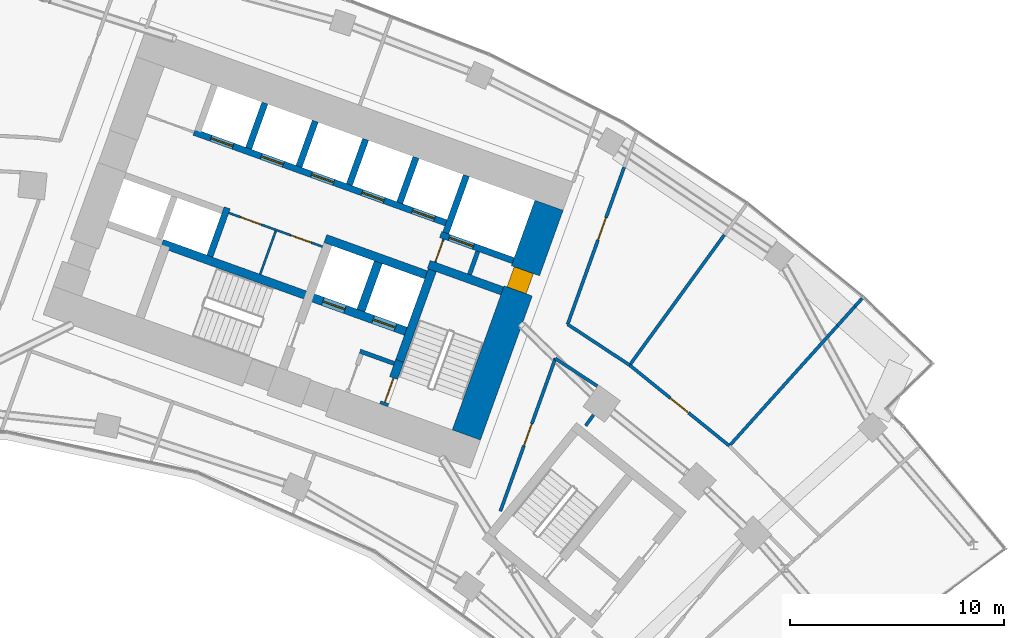
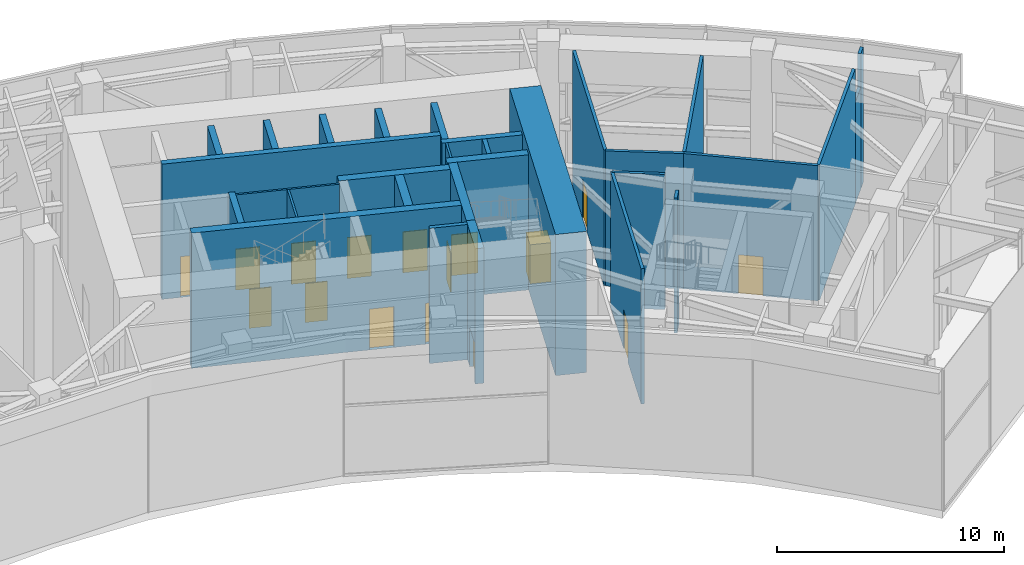
# One storey, part 27 of 32: 30 walls, 16 doors, 16 openings.
"""IFC4 building model written with IfcOpenShell, lengths in metres."""

from ifc_helpers import new_model, si_unit, direction, frame, frame_2d, origin, place, context, subcontext, project, spatial, rectangle, extrude, material, layer, layer_set, type_object, element, fill, save


model = new_model("IFC4")

# Units and contexts
model_context = context("Model", 3, precision=1e-05, world=origin(), true_north=direction((0.0, 1.0)))
body_context = subcontext(model_context, "Body", "Model", "MODEL_VIEW")
ifc_project = project(units=[si_unit("LENGTHUNIT", "METRE"), si_unit("AREAUNIT", "SQUARE_METRE"), si_unit("VOLUMEUNIT", "CUBIC_METRE"), si_unit("PLANEANGLEUNIT", "RADIAN"), si_unit("MASSUNIT", "GRAM", prefix="KILO")], contexts=[model_context])

# Site, building, storey
site_placement = place(None, origin())
site = spatial("IfcSite", under=ifc_project, at=site_placement, CompositionType="ELEMENT")
building_placement = place(site_placement, origin())
building = spatial("IfcBuilding", under=site, at=building_placement, Name="Stone Belt Terrace Tower", CompositionType="ELEMENT")
storey_placement = place(building_placement, frame((0.0, 0.0, 193.39990234375)))
storey = spatial("IfcBuildingStorey", under=building, at=storey_placement, Name="L47", CompositionType="ELEMENT", Elevation=193.39990234375)

# Wall, opening, door
ifc_material_1 = material(Name="Plasterboard partition")
ifc_layer_1 = layer(ifc_material_1, 0.10009765625)
ifc_layer_set_1 = layer_set([ifc_layer_1], Name="Core partition 100")
wall_type_1 = type_object("IfcWallType", Name="Core partition 100", PredefinedType="PARTITIONING", material=ifc_layer_set_1)
wall_1_placement = place(storey_placement, frame((24.555908203125, 51.10400390625, 0.0), z_axis=(0.0, 0.0, 1.0), x_axis=(0.338621735342, 0.94092258999, 0.0)))
wall_1 = element("IfcWall", 1, at=wall_1_placement, inside=storey, type_object=wall_type_1, Name="Core B wall", PredefinedType="PARTITIONING", context=body_context, shape_type="SweptSolid", body=[
    extrude(rectangle(XDim=1.14990234375, YDim=0.10009765625, at=frame_2d((0.574951171875, 0.0))), origin(), (0.0, 0.0, 1.0), 7.280029296875),
])
opening_1_placement = place(wall_1_placement, frame((0.050048828125, 0.0, 0.0)))
opening_1 = element("IfcOpeningElement", 2, at=opening_1_placement, cuts=wall_1, Name="Opening L47-C17", PredefinedType="OPENING", context=body_context, shape_type="SweptSolid", body=[
    extrude(rectangle(XDim=1.0, YDim=2.10009765625, at=frame_2d((0.5, 1.050048828125))), frame((0.0, 0.06005859375, 0.0), z_axis=(0.0, -1.0, 0.0), x_axis=(1.0, 0.0, 0.0)), (0.0, 0.0, 1.0), 0.1201171875),
])
ifc_material_2 = material(Name="Timber door leaf", Category="wood")
door_type_1 = type_object("IfcDoorType", Name="Core room door 1000", OperationType="SINGLE_SWING_LEFT", PredefinedType="DOOR", material=ifc_material_2)
door_1_placement = place(opening_1_placement, origin())
door_1 = element("IfcDoor", 3, at=door_1_placement, inside=storey, type_object=door_type_1, Name="Service lift lobby door core B", OperationType="SINGLE_SWING_LEFT", OverallHeight=2.10009765625, OverallWidth=1.0, PredefinedType="DOOR", context=body_context, shape_type="SweptSolid", body=[
    extrude(rectangle(XDim=1.0, YDim=2.10009765625, at=frame_2d((0.5, 1.050048828125))), frame((0.0, 0.02490234375, 0.0), z_axis=(0.0, -1.0, 0.0), x_axis=(1.0, 0.0, 0.0)), (0.0, 0.0, 1.0), 0.050048828125),
])
fill(opening_1, door_1)

# Wall, openings, doors
wall_2_placement = place(storey_placement, frame((19.29052734375, 51.829833984375, 0.0), z_axis=(0.0, 0.0, 1.0), x_axis=(-0.940930240745, 0.338600475563, 0.0)))
wall_2 = element("IfcWall", 4, at=wall_2_placement, inside=storey, type_object=wall_type_1, Name="Core B wall", PredefinedType="PARTITIONING", context=body_context, shape_type="SweptSolid", body=[
    extrude(rectangle(XDim=4.64990234375, YDim=0.10009765625, at=frame_2d((2.324951171875, 0.0))), origin(), (0.0, 0.0, 1.0), 7.280029296875),
])
opening_2_placement = place(wall_2_placement, frame((0.550048828125, 0.0, 0.0)))
opening_2 = element("IfcOpeningElement", 5, at=opening_2_placement, cuts=wall_2, Name="Opening L47-C14", PredefinedType="OPENING", context=body_context, shape_type="SweptSolid", body=[
    extrude(rectangle(XDim=1.0, YDim=2.10009765625, at=frame_2d((0.5, 1.050048828125))), frame((0.0, 0.06005859375, 0.0), z_axis=(0.0, -1.0, 0.0), x_axis=(1.0, 0.0, 0.0)), (0.0, 0.0, 1.0), 0.1201171875),
])
opening_3_placement = place(wall_2_placement, frame((3.050048828125, 0.0, 0.0)))
opening_3 = element("IfcOpeningElement", 6, at=opening_3_placement, cuts=wall_2, Name="Opening L47-C15", PredefinedType="OPENING", context=body_context, shape_type="SweptSolid", body=[
    extrude(rectangle(XDim=1.0, YDim=2.10009765625, at=frame_2d((0.5, 1.050048828125))), frame((0.0, 0.06005859375, 0.0), z_axis=(0.0, -1.0, 0.0), x_axis=(1.0, 0.0, 0.0)), (0.0, 0.0, 1.0), 0.1201171875),
])
door_2_placement = place(opening_2_placement, origin())
door_2 = element("IfcDoor", 7, at=door_2_placement, inside=storey, type_object=door_type_1, Name="Door to Telecommunications room core B", OperationType="SINGLE_SWING_LEFT", OverallHeight=2.10009765625, OverallWidth=1.0, PredefinedType="DOOR", context=body_context, shape_type="SweptSolid", body=[
    extrude(rectangle(XDim=1.0, YDim=2.10009765625, at=frame_2d((0.5, 1.050048828125))), frame((0.0, 0.02490234375, 0.0), z_axis=(0.0, -1.0, 0.0), x_axis=(1.0, 0.0, 0.0)), (0.0, 0.0, 1.0), 0.050048828125),
])
fill(opening_2, door_2)
door_3_placement = place(opening_3_placement, origin())
door_3 = element("IfcDoor", 8, at=door_3_placement, inside=storey, type_object=door_type_1, Name="Door to Archive store core B", OperationType="SINGLE_SWING_RIGHT", OverallHeight=2.10009765625, OverallWidth=1.0, PredefinedType="DOOR", context=body_context, shape_type="SweptSolid", body=[
    extrude(rectangle(XDim=1.0, YDim=2.10009765625, at=frame_2d((0.5, 1.050048828125))), frame((0.0, 0.02490234375, 0.0), z_axis=(0.0, -1.0, 0.0), x_axis=(1.0, 0.0, 0.0)), (0.0, 0.0, 1.0), 0.050048828125),
])
fill(opening_3, door_3)

# Wall
wall_3_placement = place(storey_placement, frame((16.38134765625, 50.53857421875, 0.0), z_axis=(0.0, 0.0, 1.0), x_axis=(0.338622960269, 0.940922149159, 0.0)))
element("IfcWall", 9, at=wall_3_placement, inside=storey, type_object=wall_type_1, Name="Core B wall", PredefinedType="PARTITIONING", context=body_context, shape_type="SweptSolid", body=[
    extrude(rectangle(XDim=2.14990234375, YDim=0.10009765625, at=frame_2d((1.074951171875, 0.0))), origin(), (0.0, 0.0, 1.0), 7.280029296875),
])

# Wall, opening, door
ifc_material_3 = material(Name="Concrete B80", Category="concrete")
ifc_layer_2 = layer(ifc_material_3, 1.39990234375)
ifc_layer_set_2 = layer_set([ifc_layer_2], Name="Core wall 1400 B80")
wall_type_2 = type_object("IfcWallType", Name="Core wall 1400 B80", PredefinedType="SHEAR", material=ifc_layer_set_2)
wall_4_placement = place(storey_placement, frame((26.00927734375, 43.03515625, 0.0), z_axis=(0.0, 0.0, 1.0), x_axis=(0.338625431531, 0.940921259788, 0.0)))
wall_4 = element("IfcWall", 10, at=wall_4_placement, inside=storey, type_object=wall_type_2, Name="Core B wall end_b L47", PredefinedType="SHEAR", context=body_context, shape_type="SweptSolid", body=[
    extrude(rectangle(XDim=11.400146484375, YDim=1.39990234375, at=frame_2d((5.7001953125, 0.0))), origin(), (0.0, 0.0, 1.0), 7.60009765625),
])
opening_4_placement = place(wall_4_placement, frame((7.14990234375, 0.0, 0.0)))
opening_4 = element("IfcOpeningElement", 11, at=opening_4_placement, cuts=wall_4, Name="Opening L47-C16", PredefinedType="OPENING", context=body_context, shape_type="SweptSolid", body=[
    extrude(rectangle(XDim=1.0, YDim=2.10009765625, at=frame_2d((0.5, 1.050048828125))), frame((0.0, 0.7099609375, 0.0), z_axis=(0.0, -1.0, 0.0), x_axis=(1.0, 0.0, 0.0)), (0.0, 0.0, 1.0), 1.419921875),
])
door_4_placement = place(opening_4_placement, origin())
door_4 = element("IfcDoor", 12, at=door_4_placement, inside=storey, type_object=door_type_1, Name="Door to Plant riser room core B", OperationType="SINGLE_SWING_RIGHT", OverallHeight=2.10009765625, OverallWidth=1.0, PredefinedType="DOOR", context=body_context, shape_type="SweptSolid", body=[
    extrude(rectangle(XDim=1.0, YDim=2.10009765625, at=frame_2d((0.5, 1.050048828125))), frame((0.0, 0.55517578125, 0.0), z_axis=(0.0, -1.0, 0.0), x_axis=(1.0, 0.0, 0.0)), (0.0, 0.0, 1.0), 0.949951171875),
])
fill(opening_4, door_4)

# Walls
ifc_layer_3 = layer(ifc_material_3, 0.39990234375)
ifc_layer_set_3 = layer_set([ifc_layer_3], Name="Fire-fighting lift shaft wall 400")
wall_type_3 = type_object("IfcWallType", Name="Fire-fighting lift shaft wall 400", PredefinedType="SHEAR", material=ifc_layer_set_3)
wall_5_placement = place(storey_placement, frame((24.130615234375, 50.512939453125, 0.0), z_axis=(0.0, 0.0, 1.0), x_axis=(-0.94091168377, 0.338652038744, 0.0)))
element("IfcWall", 13, at=wall_5_placement, inside=storey, type_object=wall_type_3, Name="Core B wall", PredefinedType="SHEAR", context=body_context, shape_type="SweptSolid", body=[
    extrude(rectangle(XDim=5.000244140625, YDim=0.39990234375, at=frame_2d((2.5, 0.0))), origin(), (0.0, 0.0, 1.0), 7.280029296875),
])
wall_6_placement = place(storey_placement, frame((21.0859375, 48.845458984375, 0.0), z_axis=(0.0, 0.0, 1.0), x_axis=(0.338629416206, 0.940919825745, 0.0)))
element("IfcWall", 14, at=wall_6_placement, inside=storey, type_object=wall_type_3, Name="Core B wall", PredefinedType="SHEAR", context=body_context, shape_type="SweptSolid", body=[
    extrude(rectangle(XDim=2.400146484375, YDim=0.39990234375, at=frame_2d((1.2001953125, 0.0))), origin(), (0.0, 0.0, 1.0), 7.280029296875),
])

# Wall, opening, door
ifc_layer_4 = layer(ifc_material_3, 0.300048828125)
ifc_layer_set_4 = layer_set([ifc_layer_4], Name="Lift shaft wall 300")
wall_type_4 = type_object("IfcWallType", Name="Lift shaft wall 300", PredefinedType="SHEAR", material=ifc_layer_set_4)
wall_7_placement = place(storey_placement, frame((28.195068359375, 51.17578125, 0.0), z_axis=(0.0, 0.0, 1.0), x_axis=(-0.940901243567, 0.338681044427, 0.0)))
wall_7 = element("IfcWall", 15, at=wall_7_placement, inside=storey, type_object=wall_type_4, Name="Core B wall", PredefinedType="SHEAR", context=body_context, shape_type="SweptSolid", body=[
    extrude(rectangle(XDim=3.599853515625, YDim=0.300048828125, at=frame_2d((1.7998046875, 0.0))), origin(), (0.0, 0.0, 1.0), 7.280029296875),
])
opening_5_placement = place(wall_7_placement, frame((1.969970703125, 0.0, 0.0)))
opening_5 = element("IfcOpeningElement", 16, at=opening_5_placement, cuts=wall_7, Name="Opening L47-LD16", PredefinedType="OPENING", context=body_context, shape_type="SweptSolid", body=[
    extrude(rectangle(XDim=1.199951171875, YDim=2.199951171875, at=frame_2d((0.60009765625, 1.10009765625))), frame((0.0, 0.159912109375, 0.0), z_axis=(0.0, -1.0, 0.0), x_axis=(1.0, 0.0, 0.0)), (0.0, 0.0, 1.0), 0.320068359375),
])
ifc_material_4 = material(Name="Stainless steel door leaf", Category="steel")
door_type_2 = type_object("IfcDoorType", Name="Landing door 1200", OperationType="SLIDING_TO_LEFT", PredefinedType="DOOR", material=ifc_material_4)
door_5_placement = place(opening_5_placement, origin())
door_5 = element("IfcDoor", 17, at=door_5_placement, inside=storey, type_object=door_type_2, Name="Landing door SV1 core B", OperationType="SLIDING_TO_LEFT", OverallHeight=2.199951171875, OverallWidth=1.199951171875, PredefinedType="DOOR", context=body_context, shape_type="SweptSolid", body=[
    extrude(rectangle(XDim=1.199951171875, YDim=2.199951171875, at=frame_2d((0.60009765625, 1.10009765625))), frame((0.0, 0.02490234375, 0.0), z_axis=(0.0, -1.0, 0.0), x_axis=(1.0, 0.0, 0.0)), (0.0, 0.0, 1.0), 0.050048828125),
])
fill(opening_5, door_5)

# Wall
wall_8_placement = place(storey_placement, frame((25.046875, 52.46826171875, 0.0), z_axis=(0.0, 0.0, 1.0), x_axis=(0.338549588058, 0.940948551423, 0.0)))
element("IfcWall", 18, at=wall_8_placement, inside=storey, type_object=wall_type_4, Name="Core B wall", PredefinedType="SHEAR", context=body_context, shape_type="SweptSolid", body=[
    extrude(rectangle(XDim=2.849853515625, YDim=0.300048828125, at=frame_2d((1.4248046875, 0.0))), origin(), (0.0, 0.0, 1.0), 7.280029296875),
])

# Wall, openings, doors
wall_9_placement = place(storey_placement, frame((25.05810546875, 52.9423828125, 0.0), z_axis=(0.0, 0.0, 1.0), x_axis=(-0.940920770291, 0.338626791666, 0.0)))
wall_9 = element("IfcWall", 19, at=wall_9_placement, inside=storey, type_object=wall_type_4, Name="Core B wall", PredefinedType="SHEAR", context=body_context, shape_type="SweptSolid", body=[
    extrude(rectangle(XDim=12.500244140625, YDim=0.300048828125, at=frame_2d((6.25, 0.0))), origin(), (0.0, 0.0, 1.0), 7.280029296875),
])
opening_6_placement = place(wall_9_placement, frame((0.570068359375, 0.0, 0.0)))
opening_6 = element("IfcOpeningElement", 20, at=opening_6_placement, cuts=wall_9, Name="Opening L47-LD09", PredefinedType="OPENING", context=body_context, shape_type="SweptSolid", body=[
    extrude(rectangle(XDim=1.10009765625, YDim=2.199951171875, at=frame_2d((0.550048828125, 1.10009765625))), frame((0.0, 0.159912109375, 0.0), z_axis=(0.0, -1.0, 0.0), x_axis=(1.0, 0.0, 0.0)), (0.0, 0.0, 1.0), 0.320068359375),
])
opening_7_placement = place(wall_9_placement, frame((3.070068359375, 0.0, 0.0)))
opening_7 = element("IfcOpeningElement", 21, at=opening_7_placement, cuts=wall_9, Name="Opening L47-LD10", PredefinedType="OPENING", context=body_context, shape_type="SweptSolid", body=[
    extrude(rectangle(XDim=1.10009765625, YDim=2.199951171875, at=frame_2d((0.550048828125, 1.10009765625))), frame((0.0, 0.159912109375, 0.0), z_axis=(0.0, -1.0, 0.0), x_axis=(1.0, 0.0, 0.0)), (0.0, 0.0, 1.0), 0.320068359375),
])
opening_8_placement = place(wall_9_placement, frame((5.570068359375, 0.0, 0.0)))
opening_8 = element("IfcOpeningElement", 22, at=opening_8_placement, cuts=wall_9, Name="Opening L47-LD11", PredefinedType="OPENING", context=body_context, shape_type="SweptSolid", body=[
    extrude(rectangle(XDim=1.10009765625, YDim=2.199951171875, at=frame_2d((0.550048828125, 1.10009765625))), frame((0.0, 0.159912109375, 0.0), z_axis=(0.0, -1.0, 0.0), x_axis=(1.0, 0.0, 0.0)), (0.0, 0.0, 1.0), 0.320068359375),
])
opening_9_placement = place(wall_9_placement, frame((8.070068359375, 0.0, 0.0)))
opening_9 = element("IfcOpeningElement", 23, at=opening_9_placement, cuts=wall_9, Name="Opening L47-LD12", PredefinedType="OPENING", context=body_context, shape_type="SweptSolid", body=[
    extrude(rectangle(XDim=1.10009765625, YDim=2.199951171875, at=frame_2d((0.550048828125, 1.10009765625))), frame((0.0, 0.159912109375, 0.0), z_axis=(0.0, -1.0, 0.0), x_axis=(1.0, 0.0, 0.0)), (0.0, 0.0, 1.0), 0.320068359375),
])
opening_10_placement = place(wall_9_placement, frame((10.570068359375, 0.0, 0.0)))
opening_10 = element("IfcOpeningElement", 24, at=opening_10_placement, cuts=wall_9, Name="Opening L47-LD13", PredefinedType="OPENING", context=body_context, shape_type="SweptSolid", body=[
    extrude(rectangle(XDim=1.10009765625, YDim=2.199951171875, at=frame_2d((0.550048828125, 1.10009765625))), frame((0.0, 0.159912109375, 0.0), z_axis=(0.0, -1.0, 0.0), x_axis=(1.0, 0.0, 0.0)), (0.0, 0.0, 1.0), 0.320068359375),
])
door_type_3 = type_object("IfcDoorType", Name="Landing door 1100", OperationType="SLIDING_TO_LEFT", PredefinedType="DOOR", material=ifc_material_4)
door_6_placement = place(opening_6_placement, origin())
door_6 = element("IfcDoor", 25, at=door_6_placement, inside=storey, type_object=door_type_3, Name="Landing door MR1 core B", OperationType="SLIDING_TO_LEFT", OverallHeight=2.199951171875, OverallWidth=1.10009765625, PredefinedType="DOOR", context=body_context, shape_type="SweptSolid", body=[
    extrude(rectangle(XDim=1.10009765625, YDim=2.199951171875, at=frame_2d((0.550048828125, 1.10009765625))), frame((0.0, 0.02490234375, 0.0), z_axis=(0.0, -1.0, 0.0), x_axis=(1.0, 0.0, 0.0)), (0.0, 0.0, 1.0), 0.050048828125),
])
fill(opening_6, door_6)
door_7_placement = place(opening_7_placement, origin())
door_7 = element("IfcDoor", 26, at=door_7_placement, inside=storey, type_object=door_type_3, Name="Landing door MR2 core B", OperationType="SLIDING_TO_LEFT", OverallHeight=2.199951171875, OverallWidth=1.10009765625, PredefinedType="DOOR", context=body_context, shape_type="SweptSolid", body=[
    extrude(rectangle(XDim=1.10009765625, YDim=2.199951171875, at=frame_2d((0.550048828125, 1.10009765625))), frame((0.0, 0.02490234375, 0.0), z_axis=(0.0, -1.0, 0.0), x_axis=(1.0, 0.0, 0.0)), (0.0, 0.0, 1.0), 0.050048828125),
])
fill(opening_7, door_7)
door_8_placement = place(opening_8_placement, origin())
door_8 = element("IfcDoor", 27, at=door_8_placement, inside=storey, type_object=door_type_3, Name="Landing door MR3 core B", OperationType="SLIDING_TO_LEFT", OverallHeight=2.199951171875, OverallWidth=1.10009765625, PredefinedType="DOOR", context=body_context, shape_type="SweptSolid", body=[
    extrude(rectangle(XDim=1.10009765625, YDim=2.199951171875, at=frame_2d((0.550048828125, 1.10009765625))), frame((0.0, 0.02490234375, 0.0), z_axis=(0.0, -1.0, 0.0), x_axis=(1.0, 0.0, 0.0)), (0.0, 0.0, 1.0), 0.050048828125),
])
fill(opening_8, door_8)
door_9_placement = place(opening_9_placement, origin())
door_9 = element("IfcDoor", 28, at=door_9_placement, inside=storey, type_object=door_type_3, Name="Landing door MR4 core B", OperationType="SLIDING_TO_LEFT", OverallHeight=2.199951171875, OverallWidth=1.10009765625, PredefinedType="DOOR", context=body_context, shape_type="SweptSolid", body=[
    extrude(rectangle(XDim=1.10009765625, YDim=2.199951171875, at=frame_2d((0.550048828125, 1.10009765625))), frame((0.0, 0.02490234375, 0.0), z_axis=(0.0, -1.0, 0.0), x_axis=(1.0, 0.0, 0.0)), (0.0, 0.0, 1.0), 0.050048828125),
])
fill(opening_9, door_9)
door_10_placement = place(opening_10_placement, origin())
door_10 = element("IfcDoor", 29, at=door_10_placement, inside=storey, type_object=door_type_3, Name="Landing door MR5 core B", OperationType="SLIDING_TO_LEFT", OverallHeight=2.199951171875, OverallWidth=1.10009765625, PredefinedType="DOOR", context=body_context, shape_type="SweptSolid", body=[
    extrude(rectangle(XDim=1.10009765625, YDim=2.199951171875, at=frame_2d((0.550048828125, 1.10009765625))), frame((0.0, 0.02490234375, 0.0), z_axis=(0.0, -1.0, 0.0), x_axis=(1.0, 0.0, 0.0)), (0.0, 0.0, 1.0), 0.050048828125),
])
fill(opening_10, door_10)

# Walls
wall_10_placement = place(storey_placement, frame((22.897705078125, 53.87939453125, 0.0), z_axis=(0.0, 0.0, 1.0), x_axis=(0.338535034312, 0.940953787677, 0.0)))
element("IfcWall", 30, at=wall_10_placement, inside=storey, type_object=wall_type_4, Name="Core B wall", PredefinedType="SHEAR", context=body_context, shape_type="SweptSolid", body=[
    extrude(rectangle(XDim=2.25, YDim=0.300048828125, at=frame_2d((1.125, 0.0))), origin(), (0.0, 0.0, 1.0), 7.280029296875),
])
wall_11_placement = place(storey_placement, frame((20.54541015625, 54.72607421875, 0.0), z_axis=(0.0, 0.0, 1.0), x_axis=(0.338569601369, 0.940941350472, 0.0)))
element("IfcWall", 31, at=wall_11_placement, inside=storey, type_object=wall_type_4, Name="Core B wall", PredefinedType="SHEAR", context=body_context, shape_type="SweptSolid", body=[
    extrude(rectangle(XDim=2.249755859375, YDim=0.300048828125, at=frame_2d((1.125, 0.0))), origin(), (0.0, 0.0, 1.0), 7.280029296875),
])
wall_12_placement = place(storey_placement, frame((18.193115234375, 55.572509765625, 0.0), z_axis=(0.0, 0.0, 1.0), x_axis=(0.338535034312, 0.940953787677, 0.0)))
element("IfcWall", 32, at=wall_12_placement, inside=storey, type_object=wall_type_4, Name="Core B wall", PredefinedType="SHEAR", context=body_context, shape_type="SweptSolid", body=[
    extrude(rectangle(XDim=2.25, YDim=0.300048828125, at=frame_2d((1.125, 0.0))), origin(), (0.0, 0.0, 1.0), 7.280029296875),
])
wall_13_placement = place(storey_placement, frame((14.029052734375, 51.38525390625, 0.0), z_axis=(0.0, 0.0, 1.0), x_axis=(0.338661829791, 0.940908159728, 0.0)))
element("IfcWall", 33, at=wall_13_placement, inside=storey, type_object=wall_type_4, Name="Core B wall", PredefinedType="SHEAR", context=body_context, shape_type="SweptSolid", body=[
    extrude(rectangle(XDim=2.39990234375, YDim=0.300048828125, at=frame_2d((1.199951171875, 0.0))), origin(), (0.0, 0.0, 1.0), 7.280029296875),
])
wall_14_placement = place(storey_placement, frame((15.8408203125, 56.419189453125, 0.0), z_axis=(0.0, 0.0, 1.0), x_axis=(0.338569601369, 0.940941350472, 0.0)))
element("IfcWall", 34, at=wall_14_placement, inside=storey, type_object=wall_type_4, Name="Core B wall", PredefinedType="SHEAR", context=body_context, shape_type="SweptSolid", body=[
    extrude(rectangle(XDim=2.249755859375, YDim=0.300048828125, at=frame_2d((1.125, 0.0))), origin(), (0.0, 0.0, 1.0), 7.280029296875),
])

# Wall, opening, door
ifc_material_5 = material(Name="Gypsum board partition")
ifc_layer_5 = layer(ifc_material_5, 0.14990234375)
ifc_layer_set_5 = layer_set([ifc_layer_5], Name="PARTITION 150 EI 60")
wall_type_5 = type_object("IfcWallType", Name="PARTITION 150 EI 60", PredefinedType="PARTITIONING", material=ifc_layer_set_5)
wall_15_placement = place(storey_placement, frame((30.1669921875, 46.612060546875, 0.0), z_axis=(0.0, 0.0, 1.0), x_axis=(-0.338694393991, -0.940896438233, 0.0)))
wall_15 = element("IfcWall", 35, at=wall_15_placement, inside=storey, type_object=wall_type_5, Name="L47/wall/i025", PredefinedType="PARTITIONING", context=body_context, shape_type="SweptSolid", body=[
    extrude(rectangle(XDim=7.585205078125, YDim=0.14990234375, at=frame_2d((3.79248046875, 0.0))), origin(), (0.0, 0.0, 1.0), 7.280029296875),
])
opening_11_placement = place(wall_15_placement, frame((3.24267578125, 0.0, 0.0)))
opening_11 = element("IfcOpeningElement", 36, at=opening_11_placement, cuts=wall_15, Name="Opening D-T3-20", PredefinedType="OPENING", context=body_context, shape_type="SweptSolid", body=[
    extrude(rectangle(XDim=1.10009765625, YDim=2.10009765625, at=frame_2d((0.550048828125, 1.050048828125))), frame((0.0, 0.0849609375, 0.0), z_axis=(0.0, -1.0, 0.0), x_axis=(1.0, 0.0, 0.0)), (0.0, 0.0, 1.0), 0.169921875),
])
ifc_material_6 = material(Name="Steel fire door set", Category="steel")
door_type_4 = type_object("IfcDoorType", Name="SERVICE ROOM DOOR 1100 X 2100", OperationType="NOTDEFINED", PredefinedType="DOOR", material=ifc_material_6)
door_11_placement = place(opening_11_placement, origin())
door_11 = element("IfcDoor", 37, at=door_11_placement, inside=storey, type_object=door_type_4, Name="L47/door/i20", OperationType="SINGLE_SWING_RIGHT", OverallHeight=2.10009765625, OverallWidth=1.10009765625, PredefinedType="DOOR", context=body_context, shape_type="SweptSolid", body=[
    extrude(rectangle(XDim=1.10009765625, YDim=2.10009765625, at=frame_2d((0.550048828125, 1.050048828125))), frame((0.0, 0.02490234375, 0.0), z_axis=(0.0, -1.0, 0.0), x_axis=(1.0, 0.0, 0.0)), (0.0, 0.0, 1.0), 0.050048828125),
])
fill(opening_11, door_11)

wall_16_placement = place(storey_placement, frame((33.37841796875, 55.537353515625, 0.0), z_axis=(0.0, 0.0, 1.0), x_axis=(-0.338587588819, -0.940934878032, 0.0)))
wall_16 = element("IfcWall", 38, at=wall_16_placement, inside=storey, type_object=wall_type_5, Name="L47/wall/i028-3", PredefinedType="PARTITIONING", context=body_context, shape_type="SweptSolid", body=[
    extrude(rectangle(XDim=7.801025390625, YDim=0.14990234375, at=frame_2d((3.900390625, 0.0))), origin(), (0.0, 0.0, 1.0), 7.280029296875),
])
opening_12_placement = place(wall_16_placement, frame((2.503662109375, 0.0, 0.0)))
opening_12 = element("IfcOpeningElement", 39, at=opening_12_placement, cuts=wall_16, Name="Opening D-T3-23", PredefinedType="OPENING", context=body_context, shape_type="SweptSolid", body=[
    extrude(rectangle(XDim=1.10009765625, YDim=2.10009765625, at=frame_2d((0.550048828125, 1.050048828125))), frame((0.0, 0.0849609375, 0.0), z_axis=(0.0, -1.0, 0.0), x_axis=(1.0, 0.0, 0.0)), (0.0, 0.0, 1.0), 0.169921875),
])
door_12_placement = place(opening_12_placement, origin())
door_12 = element("IfcDoor", 40, at=door_12_placement, inside=storey, type_object=door_type_4, Name="L47/door/i23", OperationType="SINGLE_SWING_LEFT", OverallHeight=2.10009765625, OverallWidth=1.10009765625, PredefinedType="DOOR", context=body_context, shape_type="SweptSolid", body=[
    extrude(rectangle(XDim=1.10009765625, YDim=2.10009765625, at=frame_2d((0.550048828125, 1.050048828125))), frame((0.0, 0.02490234375, 0.0), z_axis=(0.0, -1.0, 0.0), x_axis=(1.0, 0.0, 0.0)), (0.0, 0.0, 1.0), 0.050048828125),
])
fill(opening_12, door_12)

# Walls
wall_17_placement = place(storey_placement, frame((31.580078125, 43.466064453125, 0.0), z_axis=(0.0, 0.0, 1.0), x_axis=(0.58798371838, 0.808872763121, 0.0)))
element("IfcWall", 41, at=wall_17_placement, inside=storey, type_object=wall_type_5, Name="L47/wall/i061", PredefinedType="PARTITIONING", context=body_context, shape_type="SweptSolid", body=[
    extrude(rectangle(XDim=0.617919921875, YDim=0.14990234375, at=frame_2d((0.30908203125, 0.0))), origin(), (0.0, 0.0, 1.0), 7.280029296875),
])
wall_18_placement = place(storey_placement, frame((32.1181640625, 45.321044921875, 0.0), z_axis=(0.0, 0.0, 1.0), x_axis=(-0.835424653074, 0.549604993641, 0.0)))
element("IfcWall", 42, at=wall_18_placement, inside=storey, type_object=wall_type_5, Name="L47/wall/i062", PredefinedType="PARTITIONING", context=body_context, shape_type="SweptSolid", body=[
    extrude(rectangle(XDim=2.337890625, YDim=0.14990234375, at=frame_2d((1.1689453125, 0.0))), origin(), (0.0, 0.0, 1.0), 7.280029296875),
])
wall_19_placement = place(storey_placement, frame((30.739013671875, 48.202880859375, 0.0), z_axis=(0.0, 0.0, 1.0), x_axis=(0.835274160171, -0.549833681535, 0.0)))
element("IfcWall", 43, at=wall_19_placement, inside=storey, type_object=wall_type_5, Name="L47/wall/i064", PredefinedType="PARTITIONING", context=body_context, shape_type="SweptSolid", body=[
    extrude(rectangle(XDim=3.46826171875, YDim=0.14990234375, at=frame_2d((1.734130859375, 0.0))), origin(), (0.0, 0.0, 1.0), 7.280029296875),
])

# Wall, opening, door
wall_20_placement = place(storey_placement, frame((33.635986328125, 46.2958984375, 0.0), z_axis=(0.0, 0.0, 1.0), x_axis=(0.77714422733, -0.629322532513, 0.0)))
wall_20 = element("IfcWall", 44, at=wall_20_placement, inside=storey, type_object=wall_type_5, Name="L47/wall/i065", PredefinedType="PARTITIONING", context=body_context, shape_type="SweptSolid", body=[
    extrude(rectangle(XDim=5.98876953125, YDim=0.14990234375, at=frame_2d((2.994384765625, 0.0))), origin(), (0.0, 0.0, 1.0), 7.280029296875),
])
opening_13_placement = place(wall_20_placement, frame((2.4443359375, 0.0, 0.0)))
opening_13 = element("IfcOpeningElement", 45, at=opening_13_placement, cuts=wall_20, Name="Opening D-T3-24", PredefinedType="OPENING", context=body_context, shape_type="SweptSolid", body=[
    extrude(rectangle(XDim=1.10009765625, YDim=2.10009765625, at=frame_2d((0.550048828125, 1.050048828125))), frame((0.0, 0.0849609375, 0.0), z_axis=(0.0, -1.0, 0.0), x_axis=(1.0, 0.0, 0.0)), (0.0, 0.0, 1.0), 0.169921875),
])
door_13_placement = place(opening_13_placement, origin())
door_13 = element("IfcDoor", 46, at=door_13_placement, inside=storey, type_object=door_type_4, Name="L47/door/i24", OperationType="SINGLE_SWING_LEFT", OverallHeight=2.10009765625, OverallWidth=1.10009765625, PredefinedType="DOOR", context=body_context, shape_type="SweptSolid", body=[
    extrude(rectangle(XDim=1.10009765625, YDim=2.10009765625, at=frame_2d((0.550048828125, 1.050048828125))), frame((0.0, 0.02490234375, 0.0), z_axis=(0.0, -1.0, 0.0), x_axis=(1.0, 0.0, 0.0)), (0.0, 0.0, 1.0), 0.050048828125),
])
fill(opening_13, door_13)

# Walls
wall_21_placement = place(storey_placement, frame((38.057373046875, 52.3818359375, 0.0), z_axis=(0.0, 0.0, 1.0), x_axis=(-0.587758654028, -0.809036318477, 0.0)))
element("IfcWall", 47, at=wall_21_placement, inside=storey, type_object=wall_type_5, Name="L47/wall/i070-3", PredefinedType="PARTITIONING", context=body_context, shape_type="SweptSolid", body=[
    extrude(rectangle(XDim=7.5224609375, YDim=0.14990234375, at=frame_2d((3.76123046875, 0.0))), origin(), (0.0, 0.0, 1.0), 7.280029296875),
])
wall_22_placement = place(storey_placement, frame((44.496826171875, 49.41943359375, 0.0), z_axis=(0.0, 0.0, 1.0), x_axis=(-0.668809134732, -0.743434153976, 0.0)))
element("IfcWall", 48, at=wall_22_placement, inside=storey, type_object=wall_type_5, Name="L47/wall/i071-1", PredefinedType="PARTITIONING", context=body_context, shape_type="SweptSolid", body=[
    extrude(rectangle(XDim=0.520263671875, YDim=0.14990234375, at=frame_2d((0.26025390625, 0.0))), origin(), (0.0, 0.0, 1.0), 7.280029296875),
])
wall_23_placement = place(storey_placement, frame((44.14892578125, 49.03271484375, 0.0), z_axis=(0.0, 0.0, 1.0), x_axis=(-0.669144392774, -0.743132411902, 0.0)))
element("IfcWall", 49, at=wall_23_placement, inside=storey, type_object=wall_type_5, Name="L47/wall/i071-2", PredefinedType="PARTITIONING", context=body_context, shape_type="SweptSolid", body=[
    extrude(rectangle(XDim=1.201171875, YDim=0.14990234375, at=frame_2d((0.6005859375, 0.0))), origin(), (0.0, 0.0, 1.0), 5.47998046875),
])
wall_24_placement = place(storey_placement, frame((43.34521484375, 48.14013671875, 0.0), z_axis=(0.0, 0.0, 1.0), x_axis=(-0.669064717574, -0.743204146717, 0.0)))
element("IfcWall", 50, at=wall_24_placement, inside=storey, type_object=wall_type_5, Name="L47/wall/i071-3", PredefinedType="PARTITIONING", context=body_context, shape_type="SweptSolid", body=[
    extrude(rectangle(XDim=7.55419921875, YDim=0.14990234375, at=frame_2d((3.777099609375, 0.0))), origin(), (0.0, 0.0, 1.0), 7.280029296875),
])
ifc_material_7 = material(Name="Concrete masonry block", Category="masonry")
ifc_layer_6 = layer(ifc_material_7, 0.199951171875)
ifc_layer_set_6 = layer_set([ifc_layer_6], Name="Rated lobby wall 200")
wall_type_6 = type_object("IfcWallType", Name="Rated lobby wall 200", PredefinedType="PARTITIONING", material=ifc_layer_set_6)
wall_25_placement = place(storey_placement, frame((26.1552734375, 50.5283203125, 0.0), z_axis=(0.0, 0.0, 1.0), x_axis=(0.338621735342, 0.94092258999, 0.0)))
element("IfcWall", 51, at=wall_25_placement, inside=storey, type_object=wall_type_6, Name="Core B wall", PredefinedType="PARTITIONING", context=body_context, shape_type="SweptSolid", body=[
    extrude(rectangle(XDim=1.14990234375, YDim=0.199951171875, at=frame_2d((0.574951171875, 0.0))), origin(), (0.0, 0.0, 1.0), 7.280029296875),
])
wall_26_placement = place(storey_placement, frame((22.640625, 46.373046875, 0.0), z_axis=(0.0, 0.0, 1.0), x_axis=(-0.940966110313, 0.338500781747, 0.0)))
element("IfcWall", 52, at=wall_26_placement, inside=storey, type_object=wall_type_6, Name="Core B wall", PredefinedType="PARTITIONING", context=body_context, shape_type="SweptSolid", body=[
    extrude(rectangle(XDim=1.699951171875, YDim=0.199951171875, at=frame_2d((0.85009765625, 0.0))), origin(), (0.0, 0.0, 1.0), 7.280029296875),
])
ifc_layer_7 = layer(ifc_material_3, 0.39990234375)
ifc_layer_set_7 = layer_set([ifc_layer_7], Name="Stair enclosure wall 400")
wall_type_7 = type_object("IfcWallType", Name="Stair enclosure wall 400", PredefinedType="SHEAR", material=ifc_layer_set_7)
wall_27_placement = place(storey_placement, frame((27.687255859375, 49.764404296875, 0.0), z_axis=(0.0, 0.0, 1.0), x_axis=(-0.940918954884, 0.338631835981, 0.0)))
element("IfcWall", 53, at=wall_27_placement, inside=storey, type_object=wall_type_7, Name="Core B wall", PredefinedType="SHEAR", context=body_context, shape_type="SweptSolid", body=[
    extrude(rectangle(XDim=3.650146484375, YDim=0.39990234375, at=frame_2d((1.8251953125, 0.0))), origin(), (0.0, 0.0, 1.0), 7.280029296875),
])

# Wall, opening, door
wall_28_placement = place(storey_placement, frame((22.151611328125, 44.42333984375, 0.0), z_axis=(0.0, 0.0, 1.0), x_axis=(0.338577997708, 0.940938329259, 0.0)))
wall_28 = element("IfcWall", 54, at=wall_28_placement, inside=storey, type_object=wall_type_7, Name="Core B wall", PredefinedType="SHEAR", context=body_context, shape_type="SweptSolid", body=[
    extrude(rectangle(XDim=2.199951171875, YDim=0.39990234375, at=frame_2d((1.10009765625, 0.0))), origin(), (0.0, 0.0, 1.0), 7.280029296875),
])
opening_14_placement = place(wall_28_placement, frame((0.14990234375, 0.0, 0.0)))
opening_14 = element("IfcOpeningElement", 55, at=opening_14_placement, cuts=wall_28, Name="Opening L47-C19", PredefinedType="OPENING", context=body_context, shape_type="SweptSolid", body=[
    extrude(rectangle(XDim=1.199951171875, YDim=2.10009765625, at=frame_2d((0.60009765625, 1.050048828125))), frame((0.0, 0.2099609375, 0.0), z_axis=(0.0, -1.0, 0.0), x_axis=(1.0, 0.0, 0.0)), (0.0, 0.0, 1.0), 0.419921875),
])
ifc_material_8 = material(Name="Steel door leaf", Category="steel")
door_type_5 = type_object("IfcDoorType", Name="Stair door 1200", OperationType="SINGLE_SWING_LEFT", PredefinedType="DOOR", material=ifc_material_8)
door_14_placement = place(opening_14_placement, origin())
door_14 = element("IfcDoor", 56, at=door_14_placement, inside=storey, type_object=door_type_5, Name="Stair 1 door core B", OperationType="SINGLE_SWING_LEFT", OverallHeight=2.10009765625, OverallWidth=1.199951171875, PredefinedType="DOOR", context=body_context, shape_type="SweptSolid", body=[
    extrude(rectangle(XDim=1.199951171875, YDim=2.10009765625, at=frame_2d((0.60009765625, 1.050048828125))), frame((0.0, 0.02490234375, 0.0), z_axis=(0.0, -1.0, 0.0), x_axis=(1.0, 0.0, 0.0)), (0.0, 0.0, 1.0), 0.050048828125),
])
fill(opening_14, door_14)

# Wall
wall_29_placement = place(storey_placement, frame((22.896484375, 46.493408203125, 0.0), z_axis=(0.0, 0.0, 1.0), x_axis=(0.338648384874, 0.940912998859, 0.0)))
element("IfcWall", 57, at=wall_29_placement, inside=storey, type_object=wall_type_7, Name="Core B wall", PredefinedType="SHEAR", context=body_context, shape_type="SweptSolid", body=[
    extrude(rectangle(XDim=4.5, YDim=0.39990234375, at=frame_2d((2.25, 0.0))), origin(), (0.0, 0.0, 1.0), 7.280029296875),
])

# Wall, openings, doors
wall_30_placement = place(storey_placement, frame((23.182373046875, 47.87841796875, 0.0), z_axis=(0.0, 0.0, 1.0), x_axis=(-0.940921101762, 0.338625870628, 0.0)))
wall_30 = element("IfcWall", 58, at=wall_30_placement, inside=storey, type_object=wall_type_7, Name="Core B wall", PredefinedType="SHEAR", context=body_context, shape_type="SweptSolid", body=[
    extrude(rectangle(XDim=12.10009765625, YDim=0.39990234375, at=frame_2d((6.050048828125, 0.0))), origin(), (0.0, 0.0, 1.0), 7.280029296875),
])
opening_15_placement = place(wall_30_placement, frame((0.52001953125, 0.0, 0.0)))
opening_15 = element("IfcOpeningElement", 59, at=opening_15_placement, cuts=wall_30, Name="Opening L47-LD14", PredefinedType="OPENING", context=body_context, shape_type="SweptSolid", body=[
    extrude(rectangle(XDim=1.10009765625, YDim=2.199951171875, at=frame_2d((0.550048828125, 1.10009765625))), frame((0.0, 0.2099609375, 0.0), z_axis=(0.0, -1.0, 0.0), x_axis=(1.0, 0.0, 0.0)), (0.0, 0.0, 1.0), 0.419921875),
])
opening_16_placement = place(wall_30_placement, frame((3.02001953125, 0.0, 0.0)))
opening_16 = element("IfcOpeningElement", 60, at=opening_16_placement, cuts=wall_30, Name="Opening L47-LD15", PredefinedType="OPENING", context=body_context, shape_type="SweptSolid", body=[
    extrude(rectangle(XDim=1.10009765625, YDim=2.199951171875, at=frame_2d((0.550048828125, 1.10009765625))), frame((0.0, 0.2099609375, 0.0), z_axis=(0.0, -1.0, 0.0), x_axis=(1.0, 0.0, 0.0)), (0.0, 0.0, 1.0), 0.419921875),
])
door_15_placement = place(opening_15_placement, origin())
door_15 = element("IfcDoor", 61, at=door_15_placement, inside=storey, type_object=door_type_3, Name="Landing door FF1 core B", OperationType="SLIDING_TO_LEFT", OverallHeight=2.199951171875, OverallWidth=1.10009765625, PredefinedType="DOOR", context=body_context, shape_type="SweptSolid", body=[
    extrude(rectangle(XDim=1.10009765625, YDim=2.199951171875, at=frame_2d((0.550048828125, 1.10009765625))), frame((0.0, 0.02490234375, 0.0), z_axis=(0.0, -1.0, 0.0), x_axis=(1.0, 0.0, 0.0)), (0.0, 0.0, 1.0), 0.050048828125),
])
fill(opening_15, door_15)
door_16_placement = place(opening_16_placement, origin())
door_16 = element("IfcDoor", 62, at=door_16_placement, inside=storey, type_object=door_type_3, Name="Landing door FF2 core B", OperationType="SLIDING_TO_LEFT", OverallHeight=2.199951171875, OverallWidth=1.10009765625, PredefinedType="DOOR", context=body_context, shape_type="SweptSolid", body=[
    extrude(rectangle(XDim=1.10009765625, YDim=2.199951171875, at=frame_2d((0.550048828125, 1.10009765625))), frame((0.0, 0.02490234375, 0.0), z_axis=(0.0, -1.0, 0.0), x_axis=(1.0, 0.0, 0.0)), (0.0, 0.0, 1.0), 0.050048828125),
])
fill(opening_16, door_16)

save(model, "model.ifc")
